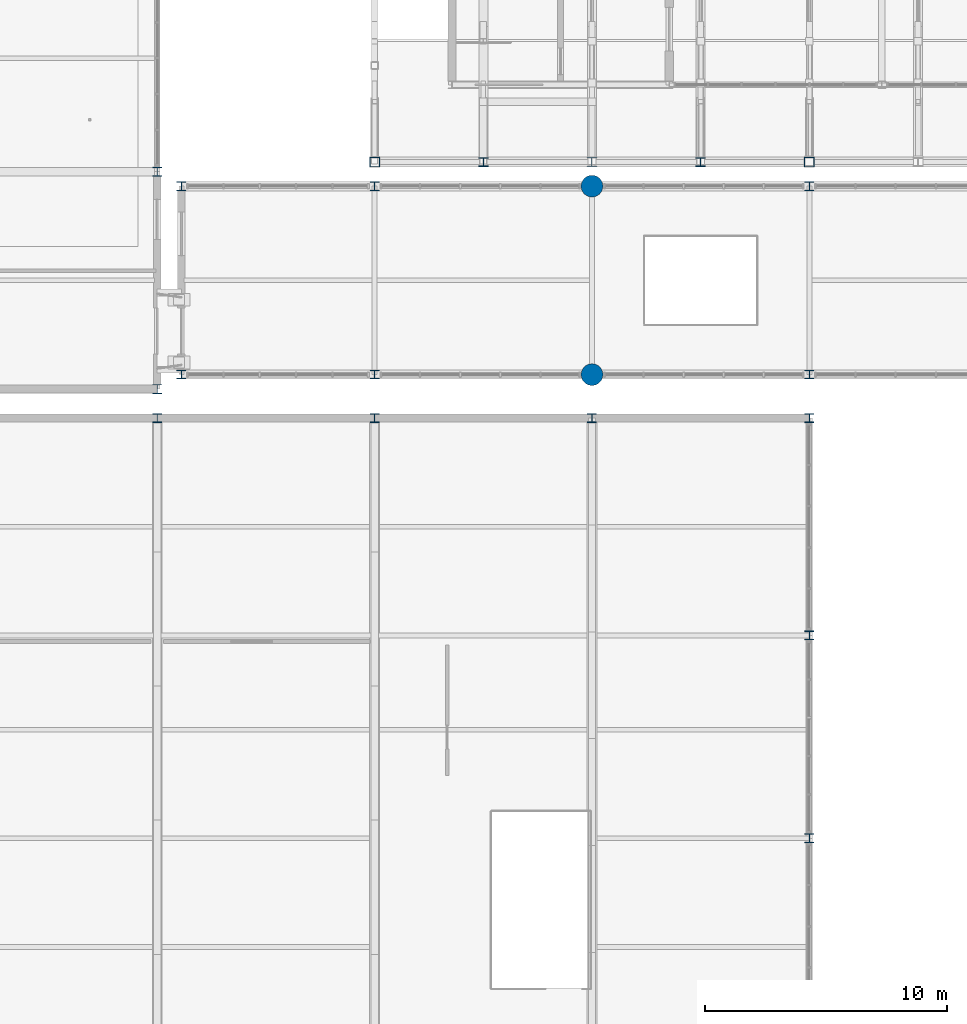
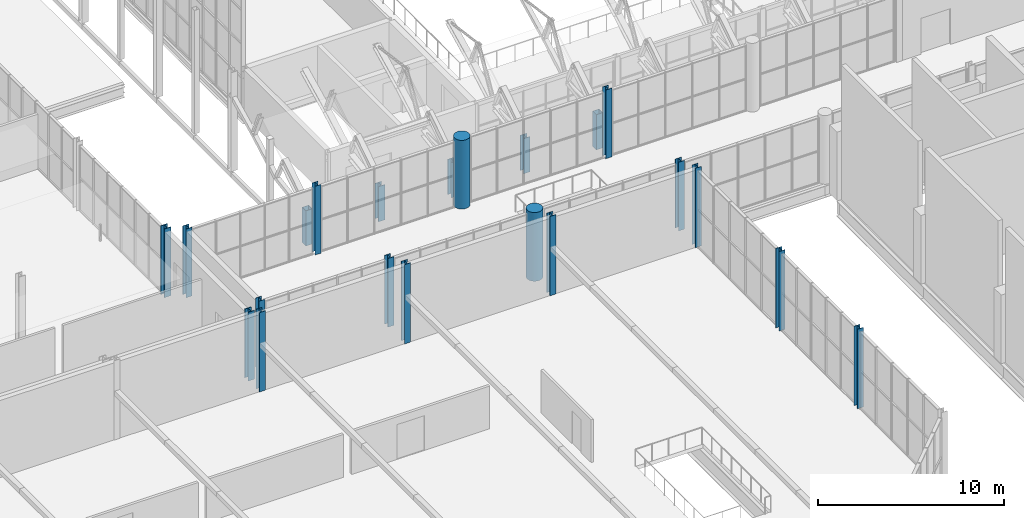
# One storey, part 4 of 134: 21 columns.
"""IFC4 building model written with IfcOpenShell, lengths in metres."""

from ifc_helpers import new_model, si_unit, direction, frame, origin, origin_2d, place, context, subcontext, project, spatial, hollow_rectangle, circle, i_section, extrude, material, material_profile, profile_set, type_object, element, save


model = new_model("IFC4")

# Units and contexts
model_context = context("Model", 3, precision=1e-05, world=origin(), true_north=direction((0.0, 1.0)))
body_context = subcontext(model_context, "Body", "Model", "MODEL_VIEW")
ifc_project = project(units=[si_unit("LENGTHUNIT", "METRE"), si_unit("AREAUNIT", "SQUARE_METRE"), si_unit("VOLUMEUNIT", "CUBIC_METRE"), si_unit("PLANEANGLEUNIT", "RADIAN"), si_unit("MASSUNIT", "GRAM", prefix="KILO")], contexts=[model_context])

# Site, building, storey
site_placement = place(None, origin())
site = spatial("IfcSite", under=ifc_project, at=site_placement, CompositionType="ELEMENT")
building_placement = place(site_placement, origin())
building = spatial("IfcBuilding", under=site, at=building_placement, Name="Cazmaro Siding Exhibition Halls", CompositionType="ELEMENT")
storey_placement = place(building_placement, frame((0.0, 0.0, 12.0)))
storey = spatial("IfcBuildingStorey", under=building, at=storey_placement, Name="L02", CompositionType="ELEMENT", Elevation=12.0)

# Columns
ifc_material_1 = material(Name="Steel ASTM A992 Grade 50", Category="steel")
ifc_material_profile_1 = material_profile(ifc_material_1, i_section(OverallWidth=0.40087890625, OverallDepth=0.39892578125, WebThickness=0.02490234375, FlangeThickness=0.0400390625, at=origin_2d()), Name="W14X211")
ifc_profile_set_1 = profile_set([ifc_material_profile_1], Name="Steel ASTM A992 Grade 50")
column_type_1 = type_object("IfcColumnType", Name="C-02", PredefinedType="COLUMN", material=ifc_profile_set_1)
for number, where, z_axis, x_axis, name in (
    (1, (36.0, 54.60009765625, 0.0), (0.0, 0.0, 1.0), (1.0, 0.0, 0.0), "Column C-02 COL-1043"),
    (2, (36.0, 63.60009765625, 0.0), (0.0, 0.0, 1.0), (1.0, 0.0, 0.0), "Column C-02 COL-1047"),
):
    element("IfcColumn", number, at=place(storey_placement, frame(where, z_axis=z_axis, x_axis=x_axis)), inside=storey, type_object=column_type_1, Name=name, PredefinedType="COLUMN", context=body_context, shape_type="SweptSolid", body=[
        extrude(i_section(OverallWidth=0.40087890625, OverallDepth=0.39892578125, WebThickness=0.02490234375, FlangeThickness=0.0400390625, at=origin_2d()), origin(), (0.0, 0.0, 1.0), 4.5),
    ])
ifc_material_2 = material(Name="Steel ASTM A992 Grade 50", Category="steel")
ifc_material_profile_2 = material_profile(ifc_material_2, i_section(OverallWidth=0.39208984375, OverallDepth=0.3759765625, WebThickness=0.01708984375, FlangeThickness=0.028076171875, at=origin_2d()), Name="W14X145")
ifc_profile_set_2 = profile_set([ifc_material_profile_2], Name="Steel ASTM A992 Grade 50")
column_type_2 = type_object("IfcColumnType", Name="C-03", PredefinedType="COLUMN", material=ifc_profile_set_2)
for number, where, z_axis, x_axis, name in (
    (3, (49.5, 64.0, 0.0), (0.0, 0.0, 1.0), (1.0, 0.0, 0.0), "Column C-03 COL-0009"),
    (4, (58.5, 64.0, 0.0), (0.0, 0.0, 1.0), (1.0, 0.0, 0.0), "Column C-03 COL-0021"),
):
    element("IfcColumn", number, at=place(storey_placement, frame(where, z_axis=z_axis, x_axis=x_axis)), inside=storey, type_object=column_type_2, Name=name, PredefinedType="COLUMN", context=body_context, shape_type="SweptSolid", body=[
        extrude(i_section(OverallWidth=0.39208984375, OverallDepth=0.3759765625, WebThickness=0.01708984375, FlangeThickness=0.028076171875, at=origin_2d()), origin(), (0.0, 0.0, 1.0), 2.300048828125),
    ])
ifc_material_3 = material(Name="Steel ASTM A992 Grade 50", Category="steel")
ifc_material_profile_3 = material_profile(ifc_material_3, i_section(OverallWidth=0.373046875, OverallDepth=0.373046875, WebThickness=0.01611328125, FlangeThickness=0.02587890625, at=origin_2d()), Name="W14X132")
ifc_profile_set_3 = profile_set([ifc_material_profile_3], Name="Steel ASTM A992 Grade 50")
column_type_3 = type_object("IfcColumnType", Name="C-04", PredefinedType="COLUMN", material=ifc_profile_set_3)
for number, where, z_axis, x_axis, name in (
    (5, (63.0, 36.0, 0.0), (0.0, 0.0, 1.0), (1.0, 0.0, 0.0), "Column C-04 COL-0819"),
    (6, (63.0, 44.39990234375, 0.0), (0.0, 0.0, 1.0), (1.0, 0.0, 0.0), "Column C-04 COL-0822"),
    (7, (63.0, 53.39990234375, 0.0), (0.0, 0.0, 1.0), (1.0, 0.0, 0.0), "Column C-04 COL-0825"),
    (8, (54.0, 53.39990234375, 0.0), (0.0, 0.0, 1.0), (1.0, 0.0, 0.0), "Column C-04 COL-0828"),
    (9, (45.0, 53.39990234375, 0.0), (0.0, 0.0, 1.0), (1.0, 0.0, 0.0), "Column C-04 COL-0831"),
    (10, (36.0, 53.39990234375, 0.0), (0.0, 0.0, 1.0), (1.0, 0.0, 0.0), "Column C-04 COL-0834"),
):
    element("IfcColumn", number, at=place(storey_placement, frame(where, z_axis=z_axis, x_axis=x_axis)), inside=storey, type_object=column_type_3, Name=name, PredefinedType="COLUMN", context=body_context, shape_type="SweptSolid", body=[
        extrude(i_section(OverallWidth=0.373046875, OverallDepth=0.373046875, WebThickness=0.01611328125, FlangeThickness=0.02587890625, at=origin_2d()), origin(), (0.0, 0.0, 1.0), 5.199951171875),
    ])
ifc_material_4 = material(Name="Concrete f'c 45 MPa", Category="concrete")
ifc_material_profile_4 = material_profile(ifc_material_4, circle(Radius=0.449951171875, at=origin_2d()), Name="RC900DIA")
ifc_profile_set_4 = profile_set([ifc_material_profile_4], Name="Concrete f'c 45 MPa")
column_type_4 = type_object("IfcColumnType", Name="C-09", PredefinedType="COLUMN", material=ifc_profile_set_4)
for number, where, z_axis, x_axis, name in (
    (11, (54.0, 55.199951171875, 0.0), (0.0, 0.0, 1.0), (1.0, 0.0, 0.0), "Column C-09 COL-0719"),
    (12, (54.0, 63.0, 0.0), (0.0, 0.0, 1.0), (1.0, 0.0, 0.0), "Column C-09 COL-0722"),
):
    element("IfcColumn", number, at=place(storey_placement, frame(where, z_axis=z_axis, x_axis=x_axis)), inside=storey, type_object=column_type_4, Name=name, PredefinedType="COLUMN", context=body_context, shape_type="SweptSolid", body=[
        extrude(circle(Radius=0.449951171875, at=origin_2d()), origin(), (0.0, 0.0, 1.0), 4.5),
    ])
ifc_material_5 = material(Name="Steel ASTM A992 Grade 50", Category="steel")
ifc_material_profile_5 = material_profile(ifc_material_5, i_section(OverallWidth=0.39892578125, OverallDepth=0.386962890625, WebThickness=0.02099609375, FlangeThickness=0.032958984375, at=origin_2d()), Name="W14X176")
ifc_profile_set_5 = profile_set([ifc_material_profile_5], Name="Steel ASTM A992 Grade 50")
column_type_5 = type_object("IfcColumnType", Name="C-11", PredefinedType="COLUMN", material=ifc_profile_set_5)
column_placement = place(storey_placement, frame((54.0, 64.0, 0.0), z_axis=(0.0, 0.0, 1.0), x_axis=(1.0, 0.0, 0.0)))
element("IfcColumn", 13, at=column_placement, inside=storey, type_object=column_type_5, Name="Column C-11 COL-0015", PredefinedType="COLUMN", context=body_context, shape_type="SweptSolid", body=[
    extrude(i_section(OverallWidth=0.39892578125, OverallDepth=0.386962890625, WebThickness=0.02099609375, FlangeThickness=0.032958984375, at=origin_2d()), origin(), (0.0, 0.0, 1.0), 2.300048828125),
])
ifc_material_6 = material(Name="Steel ASTM A992 Grade 50", Category="steel")
ifc_material_profile_6 = material_profile(ifc_material_6, i_section(OverallWidth=0.37109375, OverallDepth=0.364013671875, WebThickness=0.012939453125, FlangeThickness=0.02197265625, at=origin_2d()), Name="W14X109")
ifc_profile_set_6 = profile_set([ifc_material_profile_6], Name="Steel ASTM A992 Grade 50")
column_type_6 = type_object("IfcColumnType", Name="C-12", PredefinedType="COLUMN", material=ifc_profile_set_6)
for number, where, z_axis, x_axis, name in (
    (14, (37.0, 55.199951171875, 0.0), (0.0, 0.0, 1.0), (1.0, 0.0, 0.0), "Column C-12 COL-0707"),
    (15, (37.0, 63.0, 0.0), (0.0, 0.0, 1.0), (1.0, 0.0, 0.0), "Column C-12 COL-0710"),
    (16, (45.0, 55.199951171875, 0.0), (0.0, 0.0, 1.0), (1.0, 0.0, 0.0), "Column C-12 COL-0713"),
    (17, (45.0, 63.0, 0.0), (0.0, 0.0, 1.0), (1.0, 0.0, 0.0), "Column C-12 COL-0716"),
    (18, (63.0, 55.199951171875, 0.0), (0.0, 0.0, 1.0), (1.0, 0.0, 0.0), "Column C-12 COL-0725"),
    (19, (63.0, 63.0, 0.0), (0.0, 0.0, 1.0), (1.0, 0.0, 0.0), "Column C-12 COL-0728"),
):
    element("IfcColumn", number, at=place(storey_placement, frame(where, z_axis=z_axis, x_axis=x_axis)), inside=storey, type_object=column_type_6, Name=name, PredefinedType="COLUMN", context=body_context, shape_type="SweptSolid", body=[
        extrude(i_section(OverallWidth=0.37109375, OverallDepth=0.364013671875, WebThickness=0.012939453125, FlangeThickness=0.02197265625, at=origin_2d()), origin(), (0.0, 0.0, 1.0), 4.5),
    ])
ifc_material_7 = material(Name="Steel ASTM A500 Grade C", Category="steel")
ifc_material_profile_7 = material_profile(ifc_material_7, hollow_rectangle(XDim=0.406005859375, YDim=0.406005859375, WallThickness=0.014892578125, at=origin_2d()), Name="HSS16X16X5/8")
ifc_profile_set_7 = profile_set([ifc_material_profile_7], Name="Steel ASTM A500 Grade C")
column_type_7 = type_object("IfcColumnType", Name="PL-01", PredefinedType="PILASTER", material=ifc_profile_set_7)
for number, where, z_axis, x_axis, name in (
    (20, (45.0, 64.0, 0.0), (0.0, 0.0, 1.0), (1.0, 0.0, 0.0), "Column PL-01 COL-0003"),
    (21, (63.0, 64.0, 0.0), (0.0, 0.0, 1.0), (1.0, 0.0, 0.0), "Column PL-01 COL-0027"),
):
    element("IfcColumn", number, at=place(storey_placement, frame(where, z_axis=z_axis, x_axis=x_axis)), inside=storey, type_object=column_type_7, Name=name, PredefinedType="PILASTER", context=body_context, shape_type="SweptSolid", body=[
        extrude(hollow_rectangle(XDim=0.406005859375, YDim=0.406005859375, WallThickness=0.014892578125, at=origin_2d()), origin(), (0.0, 0.0, 1.0), 2.300048828125),
    ])

save(model, "model.ifc")
